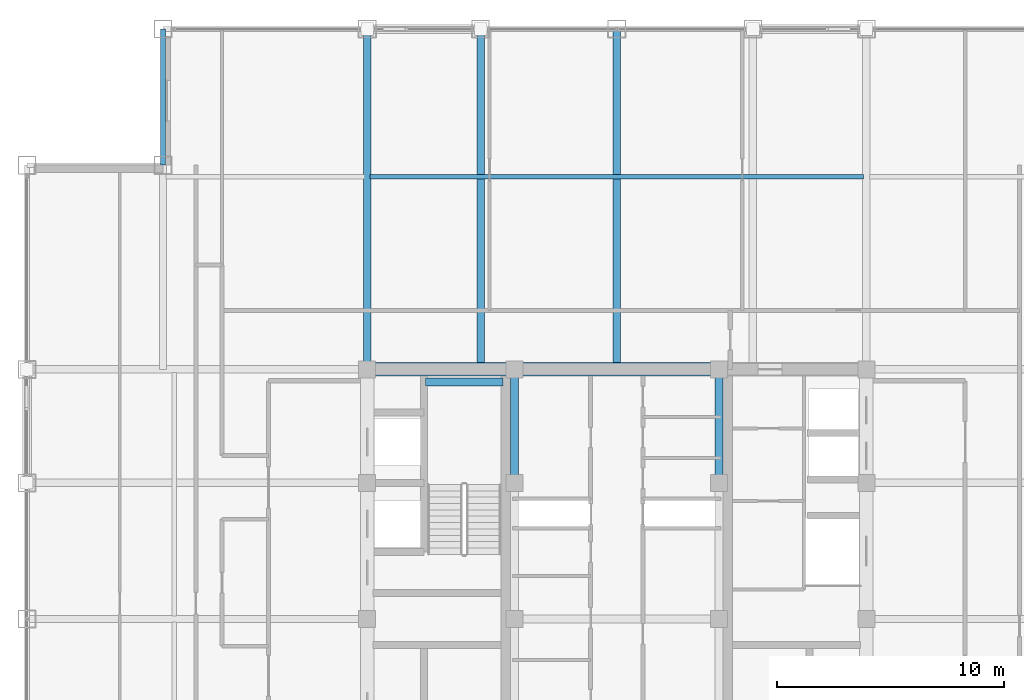
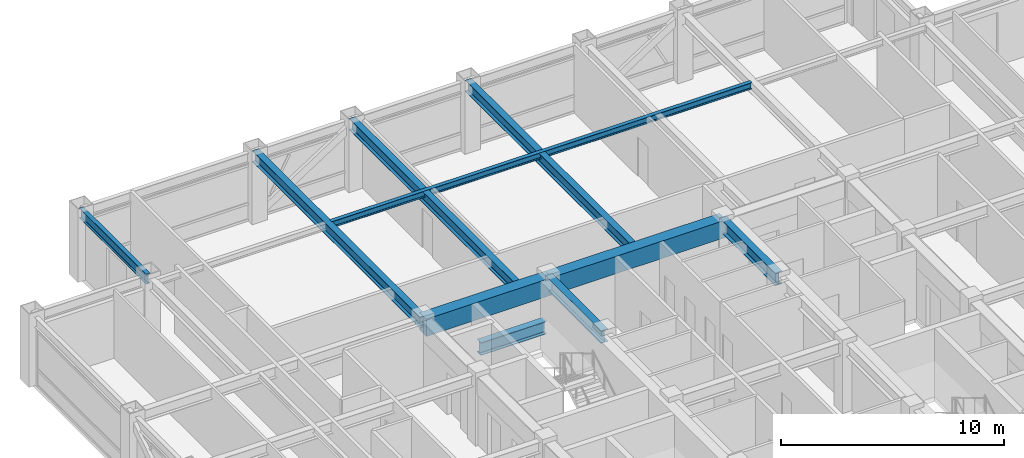
# One storey, part 15 of 28: 10 beams.
"""IFC4 building model written with IfcOpenShell, lengths in metres."""

from ifc_helpers import new_model, si_unit, direction, frame, origin, origin_2d, place, context, subcontext, project, spatial, rectangle, i_section, extrude, source, transform, mapped, material, material_profile, profile_set, type_object, element, save


model = new_model("IFC4")

# Units and contexts
model_context = context("Model", 3, precision=1e-05, world=origin(), true_north=direction((0.0, 1.0)))
body_context = subcontext(model_context, "Body", "Model", "MODEL_VIEW")
ifc_project = project(units=[si_unit("LENGTHUNIT", "METRE"), si_unit("AREAUNIT", "SQUARE_METRE"), si_unit("VOLUMEUNIT", "CUBIC_METRE"), si_unit("PLANEANGLEUNIT", "RADIAN"), si_unit("MASSUNIT", "GRAM", prefix="KILO")], contexts=[model_context])

# Site, building, storey
site_placement = place(None, origin())
site = spatial("IfcSite", under=ifc_project, at=site_placement, CompositionType="ELEMENT")
building_placement = place(site_placement, origin())
building = spatial("IfcBuilding", under=site, at=building_placement, Name="Khorayat Bourse Tower", CompositionType="ELEMENT")
storey_placement = place(building_placement, frame((0.0, 0.0, 330.300048828125)))
storey = spatial("IfcBuildingStorey", under=building, at=storey_placement, Name="L78", CompositionType="ELEMENT", Elevation=330.300048828125)

# Beams
ifc_material_1 = material(Name="Steel ASTM A992 Grade 50", Category="steel")
ifc_material_profile_1 = material_profile(ifc_material_1, i_section(OverallWidth=0.35498046875, OverallDepth=0.695068359375, WebThickness=0.015380859375, FlangeThickness=0.02490234375, FilletRadius=0.01806640625, at=origin_2d()), Name="W690X217")
ifc_profile_set_1 = profile_set([ifc_material_profile_1], Name="Steel ASTM A992 Grade 50")
beam_type_1 = type_object("IfcBeamType", Name="BM-GIRD-690", PredefinedType="BEAM", material=ifc_profile_set_1)
shared_shape_1 = source(origin(), body_context, "Body", "SweptSolid", [
    extrude(i_section(OverallWidth=0.35498046875, OverallDepth=0.695068359375, WebThickness=0.015380859375, FlangeThickness=0.02490234375, FilletRadius=0.01806640625, at=origin_2d()), origin(), (0.0, 0.0, 1.0), 5.0),
])
for number, where, z_axis, x_axis, name in (
    (1, (-4.5, 6.0, 3.392333984375), (0.0, 1.0, 0.0), (-1.0, 0.0, 0.0), "L78 BM-GIRD-690 BM-L78-CRX-08"),
    (2, (4.5, 6.0, 3.392333984375), (0.0, 1.0, 0.0), (-1.0, 0.0, 0.0), "L78 BM-GIRD-690 BM-L78-CRX-12"),
):
    element("IfcBeam", number, at=place(storey_placement, frame(where, z_axis=z_axis, x_axis=x_axis)), inside=storey, type_object=beam_type_1, Name=name, PredefinedType="BEAM", context=body_context, shape_type="MappedRepresentation", body=[
        mapped(shared_shape_1, transform((0.0, 0.0, 0.0), scale=1.0)),
    ])
shared_shape_2 = source(origin(), body_context, "Body", "SweptSolid", [
    extrude(i_section(OverallWidth=0.35498046875, OverallDepth=0.695068359375, WebThickness=0.015380859375, FlangeThickness=0.02490234375, FilletRadius=0.01806640625, at=origin_2d()), origin(), (0.0, 0.0, 1.0), 3.39990234375),
])
beam_1_placement = place(storey_placement, frame((-8.419921875, 10.449951171875, 1.452392578125), z_axis=(1.0, 0.0, 0.0), x_axis=(0.0, 1.0, 0.0)))
element("IfcBeam", 3, at=beam_1_placement, inside=storey, type_object=beam_type_1, Name="L78 BM-GIRD-690 BM-L78-ST2L", PredefinedType="BEAM", context=body_context, shape_type="MappedRepresentation", body=[
    mapped(shared_shape_2, transform((0.0, 0.0, 0.0), scale=1.0)),
])
ifc_material_2 = material(Name="Concrete C60/75", Category="concrete")
ifc_material_profile_2 = material_profile(ifc_material_2, rectangle(XDim=0.60009765625, YDim=0.949951171875, at=origin_2d()), Name="RC 600x950")
ifc_profile_set_2 = profile_set([ifc_material_profile_2], Name="Concrete C60/75")
beam_type_2 = type_object("IfcBeamType", Name="BM-COUP-950", PredefinedType="BEAM", material=ifc_profile_set_2)
shared_shape_3 = source(origin(), body_context, "Body", "SweptSolid", [
    extrude(rectangle(XDim=0.60009765625, YDim=0.949951171875, at=origin_2d()), origin(), (0.0, 0.0, 1.0), 6.5),
])
beam_2_placement = place(storey_placement, frame((-11.0, 11.0, 3.264892578125), z_axis=(1.0, 0.0, 0.0), x_axis=(0.0, 1.0, 0.0)))
element("IfcBeam", 4, at=beam_2_placement, inside=storey, type_object=beam_type_2, Name="L78 BM-COUP-950 BM-L78-CRY-20", PredefinedType="BEAM", context=body_context, shape_type="MappedRepresentation", body=[
    mapped(shared_shape_3, transform((0.0, 0.0, 0.0), scale=1.0)),
])
shared_shape_4 = source(origin(), body_context, "Body", "SweptSolid", [
    extrude(rectangle(XDim=0.60009765625, YDim=0.949951171875, at=origin_2d()), origin(), (0.0, 0.0, 1.0), 9.0),
])
beam_3_placement = place(storey_placement, frame((-4.5, 11.0, 3.264892578125), z_axis=(1.0, 0.0, 0.0), x_axis=(0.0, 1.0, 0.0)))
element("IfcBeam", 5, at=beam_3_placement, inside=storey, type_object=beam_type_2, Name="L78 BM-COUP-950 BM-L78-CRY-21", PredefinedType="BEAM", context=body_context, shape_type="MappedRepresentation", body=[
    mapped(shared_shape_4, transform((0.0, 0.0, 0.0), scale=1.0)),
])
ifc_material_profile_3 = material_profile(ifc_material_1, i_section(OverallWidth=0.202880859375, OverallDepth=0.346923828125, WebThickness=0.0078125, FlangeThickness=0.013427734375, FilletRadius=0.010009765625, at=origin_2d()), Name="W360X64")
ifc_profile_set_3 = profile_set([ifc_material_profile_3], Name="Steel ASTM A992 Grade 50")
beam_type_3 = type_object("IfcBeamType", Name="BM-JOIST-360", PredefinedType="JOIST", material=ifc_profile_set_3)
shared_shape_5 = source(origin(), body_context, "Body", "SweptSolid", [
    extrude(i_section(OverallWidth=0.202880859375, OverallDepth=0.346923828125, WebThickness=0.0078125, FlangeThickness=0.013427734375, FilletRadius=0.010009765625, at=origin_2d()), origin(), (0.0, 0.0, 1.0), 21.740234375),
])
beam_4_placement = place(storey_placement, frame((-10.8701171875, 19.5, 3.56640625), z_axis=(1.0, 0.0, 0.0), x_axis=(0.0, 1.0, 0.0)))
element("IfcBeam", 6, at=beam_4_placement, inside=storey, type_object=beam_type_3, Name="L78 BM-JOIST-360 BM-L78-JSTX-084", PredefinedType="JOIST", context=body_context, shape_type="MappedRepresentation", body=[
    mapped(shared_shape_5, transform((0.0, 0.0, 0.0), scale=1.0)),
])
ifc_material_profile_4 = material_profile(ifc_material_1, i_section(OverallWidth=0.214111328125, OverallDepth=0.549072265625, WebThickness=0.0146484375, FlangeThickness=0.023681640625, FilletRadius=0.013916015625, at=origin_2d()), Name="W530X138")
ifc_profile_set_4 = profile_set([ifc_material_profile_4], Name="Steel ASTM A992 Grade 50")
beam_type_4 = type_object("IfcBeamType", Name="BM-SPAN-530", PredefinedType="SPANDREL", material=ifc_profile_set_4)
shared_shape_6 = source(origin(), body_context, "Body", "SweptSolid", [
    extrude(i_section(OverallWidth=0.214111328125, OverallDepth=0.549072265625, WebThickness=0.0146484375, FlangeThickness=0.023681640625, FilletRadius=0.013916015625, at=origin_2d()), origin(), (0.0, 0.0, 1.0), 6.0),
])
beam_5_placement = place(storey_placement, frame((-20.0, 20.0, 3.46533203125), z_axis=(0.0, 1.0, 0.0), x_axis=(-1.0, 0.0, 0.0)))
element("IfcBeam", 7, at=beam_5_placement, inside=storey, type_object=beam_type_4, Name="L78 BM-SPAN-530 BM-L78-SPN-046", PredefinedType="SPANDREL", context=body_context, shape_type="MappedRepresentation", body=[
    mapped(shared_shape_6, transform((0.0, 0.0, 0.0), scale=1.0)),
])
ifc_material_profile_5 = material_profile(ifc_material_1, i_section(OverallWidth=0.324951171875, OverallDepth=0.615966796875, WebThickness=0.013916015625, FlangeThickness=0.021484375, FilletRadius=0.01611328125, at=origin_2d()), Name="W610X174")
ifc_profile_set_5 = profile_set([ifc_material_profile_5], Name="Steel ASTM A992 Grade 50")
beam_type_5 = type_object("IfcBeamType", Name="BM-GIRD-610", PredefinedType="BEAM", material=ifc_profile_set_5)
shared_shape_7 = source(origin(), body_context, "Body", "SweptSolid", [
    extrude(i_section(OverallWidth=0.324951171875, OverallDepth=0.615966796875, WebThickness=0.013916015625, FlangeThickness=0.021484375, FilletRadius=0.01611328125, at=origin_2d()), origin(), (0.0, 0.0, 1.0), 15.0),
])
for number, where, z_axis, x_axis, name in (
    (8, (-11.0, 11.0, 3.431884765625), (0.0, 1.0, 0.0), (-1.0, 0.0, 0.0), "L78 BM-GIRD-610 BM-L78-RADY-056"),
    (9, (-6.0, 11.0, 3.431884765625), (0.0, 1.0, 0.0), (-1.0, 0.0, 0.0), "L78 BM-GIRD-610 BM-L78-RADY-058"),
    (10, (0.0, 11.0, 3.431884765625), (0.0, 1.0, 0.0), (-1.0, 0.0, 0.0), "L78 BM-GIRD-610 BM-L78-RADY-060"),
):
    element("IfcBeam", number, at=place(storey_placement, frame(where, z_axis=z_axis, x_axis=x_axis)), inside=storey, type_object=beam_type_5, Name=name, PredefinedType="BEAM", context=body_context, shape_type="MappedRepresentation", body=[
        mapped(shared_shape_7, transform((0.0, 0.0, 0.0), scale=1.0)),
    ])

save(model, "model.ifc")
